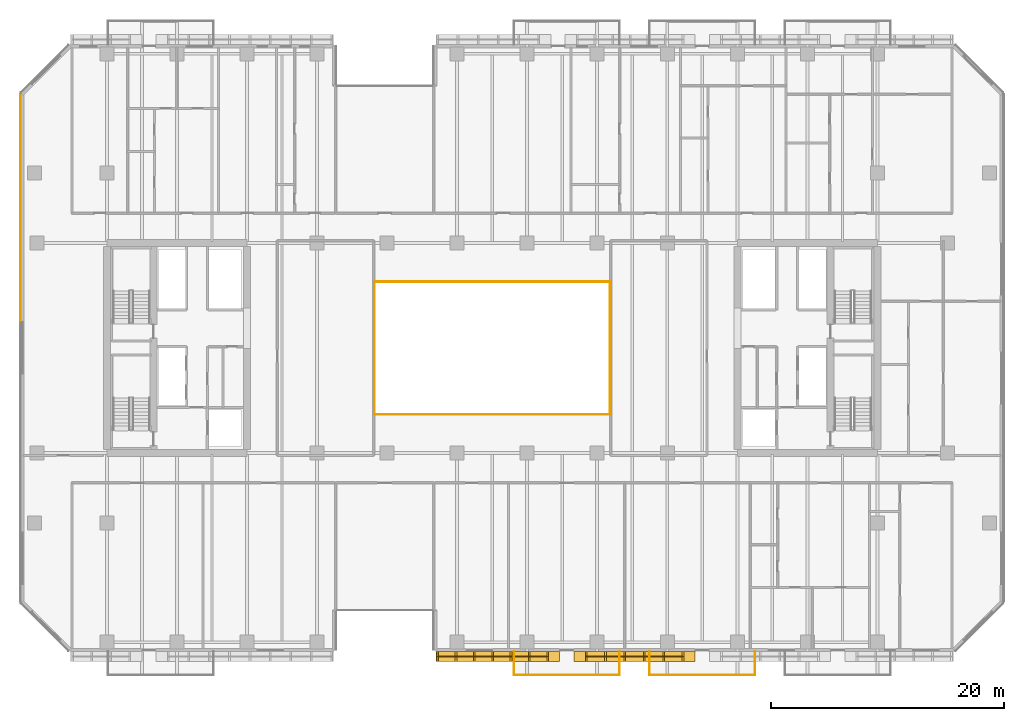
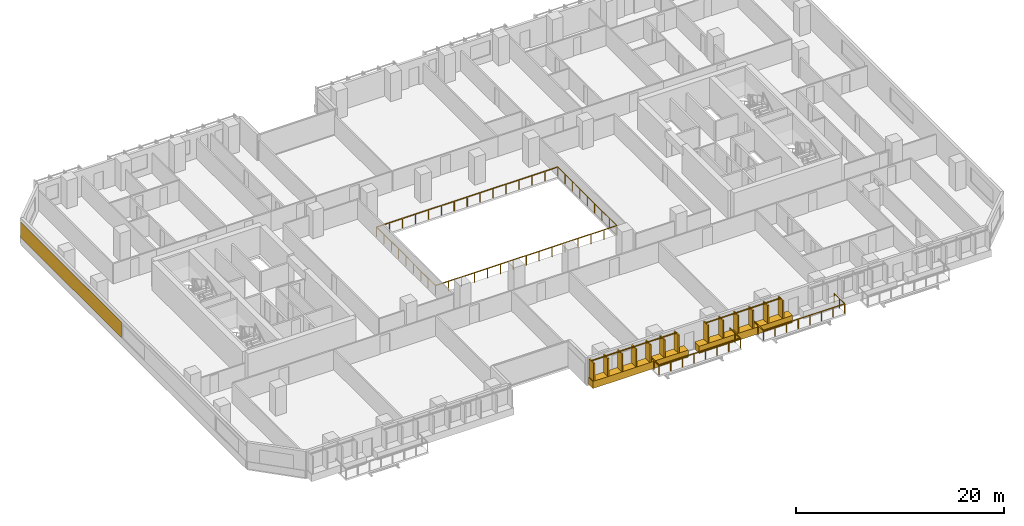
# One storey, part 20 of 25: 6 railings, 3 coverings.
"""IFC4 building model written with IfcOpenShell, lengths in metres."""

import ifcopenshell
import ifcopenshell.guid

model = None  # the IFC model being written
_history = None  # IfcOwnerHistory: only IFC2X3 demands one
_inside = {}  # id of a spatial element -> (the spatial element, [elements in it])
_under = {}  # id of a project, library or spatial element -> (it, [spatial elements below it])
_declared = {}  # id of a project -> (the project, [libraries it declares])
_typed = {}  # id of a type object -> (the type object, [elements of that type])
_made_of = {}  # id of a material, layer set ... -> (it, [elements and type objects made of it])


def new_model(schema):
    """Start an empty IFC model of exactly this schema.

    Asked for "IFC4X3", IfcOpenShell would pick the latest addendum, in which some entities
    have other attributes; the version numbers below select the first issue.
    IFC2X3 requires an IfcOwnerHistory on every rooted entity: one is made here for all.
    """
    global model, _history
    if schema == "IFC4X3":
        model = ifcopenshell.file(schema_version=(4, 3, 0, 0))
    else:
        model = ifcopenshell.file(schema=schema)
    _inside.clear()
    _under.clear()
    _declared.clear()
    _typed.clear()
    _made_of.clear()
    _history = None
    if model.schema == "IFC2X3":
        org = make("IfcOrganization", Name="unknown")
        user = make(
            "IfcPersonAndOrganization",
            ThePerson=make("IfcPerson", FamilyName="unknown"),
            TheOrganization=org,
        )
        app = make(
            "IfcApplication",
            ApplicationDeveloper=org,
            Version="unknown",
            ApplicationFullName="unknown",
            ApplicationIdentifier="unknown",
        )
        _history = make(
            "IfcOwnerHistory",
            OwningUser=user,
            OwningApplication=app,
            ChangeAction="ADDED",
            CreationDate=0,
        )
    return model


def make(cls, **values):
    """One entity of the class cls with the attributes given. An attribute that is None is left unset."""
    return model.create_entity(
        cls, **{name: value for name, value in values.items() if value is not None}
    )


def rooted(cls, **values):
    """An entity with a GlobalId (a new one), such as an element, a storey or a relation."""
    return make(cls, GlobalId=ifcopenshell.guid.new(), OwnerHistory=_history, **values)


def si_unit(unit_type, name, prefix=None):
    """IfcSIUnit, for example si_unit("LENGTHUNIT", "METRE", prefix="MILLI")."""
    return make("IfcSIUnit", UnitType=unit_type, Prefix=prefix, Name=name)


def assignment(units):
    """IfcUnitAssignment: the units of a project."""
    return None if units is None else make("IfcUnitAssignment", Units=units)


def point(xyz):
    """IfcCartesianPoint."""
    return None if xyz is None else make("IfcCartesianPoint", Coordinates=xyz)


def direction(xyz):
    """IfcDirection."""
    return None if xyz is None else make("IfcDirection", DirectionRatios=xyz)


def frame(location, z_axis=None, x_axis=None):
    """IfcAxis2Placement3D, a coordinate frame: its origin and axes. An axis left out is left unset."""
    return make(
        "IfcAxis2Placement3D",
        Location=point(location),
        Axis=direction(z_axis),
        RefDirection=direction(x_axis),
    )


def frame_2d(location, x_axis=None):
    """IfcAxis2Placement2D, a coordinate frame in the plane: its origin and x axis."""
    return make(
        "IfcAxis2Placement2D", Location=point(location), RefDirection=direction(x_axis)
    )


def origin():
    """The frame at (0, 0, 0) with its axes left unset."""
    return frame((0.0, 0.0, 0.0))


def origin_2d():
    """The frame at (0, 0) in the plane with its x axis left unset."""
    return frame_2d((0.0, 0.0))


def place(relative_to, where):
    """IfcLocalPlacement: puts the frame where relative to a parent placement (None: the world)."""
    return make(
        "IfcLocalPlacement", PlacementRelTo=relative_to, RelativePlacement=where
    )


def context(
    kind, dimensions, precision=None, world=None, true_north=None, identifier=None
):
    """IfcGeometricRepresentationContext, for example the 3D "Model" context."""
    return make(
        "IfcGeometricRepresentationContext",
        ContextIdentifier=identifier,
        ContextType=kind,
        CoordinateSpaceDimension=dimensions,
        Precision=precision,
        WorldCoordinateSystem=world,
        TrueNorth=true_north,
    )


def subcontext(parent, identifier, kind, view, scale=None):
    """IfcGeometricRepresentationSubContext, for example "Body" below "Model"."""
    return make(
        "IfcGeometricRepresentationSubContext",
        ContextIdentifier=identifier,
        ContextType=kind,
        ParentContext=parent,
        TargetScale=scale,
        TargetView=view,
    )


def project(units=None, contexts=None):
    """IfcProject with its units and contexts."""
    return rooted(
        "IfcProject",
        Name="project",
        RepresentationContexts=contexts,
        UnitsInContext=assignment(units),
    )


def spatial(cls, under=None, at=None, **own):
    """A site, building, storey or space (cls), placed at a placement, below another one or the project."""
    s = rooted(cls, ObjectPlacement=at, **own)
    if under is not None:
        _under.setdefault(under.id(), (under, []))[1].append(s)
    return s


def profile(cls, at=None, kind="AREA", **sizes):
    """A parametric profile (cls). Its sizes go by their IFC names, for example OverallWidth=200.0."""
    return make(cls, ProfileType=kind, Position=at, **sizes)


def rectangle(**sizes):
    """IfcRectangleProfileDef."""
    return profile("IfcRectangleProfileDef", **sizes)


def extrude(swept, where, along, depth):
    """IfcExtrudedAreaSolid: the profile swept, set in the frame where, extruded along a direction by depth."""
    return make(
        "IfcExtrudedAreaSolid",
        SweptArea=swept,
        Position=where,
        ExtrudedDirection=direction(along),
        Depth=depth,
    )


def shape(context_of_items, identifier, shape_type, items):
    """IfcShapeRepresentation: the items that make up one representation, for example the "Body"."""
    return make(
        "IfcShapeRepresentation",
        ContextOfItems=context_of_items,
        RepresentationIdentifier=identifier,
        RepresentationType=shape_type,
        Items=items,
    )


def material(Name=None, Category=None):
    """IfcMaterial."""
    return make("IfcMaterial", Name=Name, Category=Category)


def layer(
    of_material, thickness, ventilated=None, Name=None, Category=None, Priority=None
):
    """IfcMaterialLayer: one layer of a wall or slab, of a material (None: an air gap)."""
    return make(
        "IfcMaterialLayer",
        Material=of_material,
        LayerThickness=thickness,
        IsVentilated=ventilated,
        Name=Name,
        Category=Category,
        Priority=Priority,
    )


def layer_set(layers, Name=None):
    """IfcMaterialLayerSet."""
    return make("IfcMaterialLayerSet", MaterialLayers=layers, LayerSetName=Name)


def made_of(thing, what):
    """Note that an element or type object is made of a material, layer set ...; save() writes the relation."""
    if what is not None:
        _made_of.setdefault(what.id(), (what, []))[1].append(thing)
    return thing


def type_object(cls, material=None, **own):
    """A type object (cls), such as IfcWallType, which elements share."""
    return made_of(rooted(cls, **own), material)


def element(
    cls,
    number,
    at=None,
    inside=None,
    cuts=None,
    type_object=None,
    material=None,
    context=None,
    identifier="Body",
    shape_type=None,
    held_by="IfcProductDefinitionShape",
    body=None,
    shapes=None,
    **own,
):
    """One element of the class cls, such as IfcWall. Its Tag is "e" and its number.

    at: its placement. inside: the storey or other place that contains it. cuts: it is an
    opening in that element (IfcRelVoidsElement). A single representation is given by context,
    identifier, shape_type and body (its items); several are given by shapes. held_by: the class
    of the entity that holds the representations. save() writes the other relations.
    """
    e = rooted(cls, Tag="e%d" % number, ObjectPlacement=at, **own)
    if body is not None:
        shapes = [shape(context, identifier, shape_type, body)]
    if shapes is not None:
        e.Representation = make(held_by, Representations=shapes)
    if inside is not None:
        _inside.setdefault(inside.id(), (inside, []))[1].append(e)
    if cuts is not None:
        rooted(
            "IfcRelVoidsElement", RelatingBuildingElement=cuts, RelatedOpeningElement=e
        )
    if type_object is not None:
        _typed.setdefault(type_object.id(), (type_object, []))[1].append(e)
    return made_of(e, material)


def aggregate(whole, parts):
    """IfcRelAggregates: a whole, such as a stair, and the parts it consists of."""
    return rooted("IfcRelAggregates", RelatingObject=whole, RelatedObjects=parts)


def save(model, path):
    """Write the relations noted so far, then the file.

    IfcRelAggregates (storeys below a building ...), IfcRelContainedInSpatialStructure (elements
    in a storey), IfcRelDefinesByType, IfcRelAssociatesMaterial and IfcRelDeclares: one each for
    every whole, place, type object, material and project.
    """
    for whole, parts in _under.values():
        aggregate(whole, parts)
    for where, things in _inside.values():
        rooted(
            "IfcRelContainedInSpatialStructure",
            RelatedElements=things,
            RelatingStructure=where,
        )
    for kind, things in _typed.values():
        rooted("IfcRelDefinesByType", RelatedObjects=things, RelatingType=kind)
    for what, things in _made_of.values():
        rooted("IfcRelAssociatesMaterial", RelatedObjects=things, RelatingMaterial=what)
    for by, libraries in _declared.values():
        rooted("IfcRelDeclares", RelatingContext=by, RelatedDefinitions=libraries)
    model.write(path)


model = new_model("IFC4")

# Units and contexts
model_context = context("Model", 3, precision=1e-05, world=origin(), true_north=direction((0.0, 1.0)))
body_context = subcontext(model_context, "Body", "Model", "MODEL_VIEW")
ifc_project = project(units=[si_unit("LENGTHUNIT", "METRE"), si_unit("AREAUNIT", "SQUARE_METRE"), si_unit("VOLUMEUNIT", "CUBIC_METRE"), si_unit("PLANEANGLEUNIT", "RADIAN"), si_unit("MASSUNIT", "GRAM", prefix="KILO")], contexts=[model_context])

# Site, building, storey
site_placement = place(None, origin())
site = spatial("IfcSite", under=ifc_project, at=site_placement, CompositionType="ELEMENT")
building_placement = place(site_placement, origin())
building = spatial("IfcBuilding", under=site, at=building_placement, Name="Tanjung Sevakor Pilgrim Tower", CompositionType="ELEMENT")
storey_placement = place(building_placement, frame((0.0, 0.0, 42.239990234375)))
storey = spatial("IfcBuildingStorey", under=building, at=storey_placement, Name="L11", CompositionType="ELEMENT", Elevation=42.239990234375)

# Coverings
ifc_material_1 = material(Name="Reconstructed Limestone Cladding", Category="masonry")
ifc_layer = layer(ifc_material_1, 0.044921875)
ifc_layer_set = layer_set([ifc_layer], Name="COV-CLAD-LIMESTONE")
covering_type = type_object("IfcCoveringType", Name="COV-CLAD-LIMESTONE", PredefinedType="CLADDING", material=ifc_layer_set)
covering_1_placement = place(storey_placement, frame((57.485107421875, 7.169921875, 0.009765625), z_axis=(0.0, 0.0, 1.0), x_axis=(1.0, 0.0, 0.0)))
element("IfcCovering", 1, at=covering_1_placement, inside=storey, type_object=covering_type, Name="L11 Warm Limestone Sill Spandrel EW-L11-MAIN-5-1", PredefinedType="CLADDING", context=body_context, shape_type="SweptSolid", body=[
    extrude(rectangle(XDim=10.610107421875, YDim=0.860107421875, at=origin_2d()), origin(), (0.0, 0.0, 1.0), 0.840087890625),
])
covering_2_placement = place(storey_placement, frame((69.199951171875, 7.169921875, 0.009765625), z_axis=(0.0, 0.0, 1.0), x_axis=(1.0, 0.0, 0.0)))
element("IfcCovering", 2, at=covering_2_placement, inside=storey, type_object=covering_type, Name="L11 Warm Limestone Sill Spandrel EW-L11-MAIN-5-2", PredefinedType="CLADDING", context=body_context, shape_type="SweptSolid", body=[
    extrude(rectangle(XDim=10.3798828125, YDim=0.860107421875, at=origin_2d()), origin(), (0.0, 0.0, 1.0), 0.840087890625),
])
covering_3_placement = place(storey_placement, frame((16.577392578125, 45.575927734375, 0.85009765625), z_axis=(0.0, 0.0, 1.0), x_axis=(0.0, -1.0, 0.0)))
element("IfcCovering", 3, at=covering_3_placement, inside=storey, type_object=covering_type, Name="L11 Warm Limestone Pier Panel EW-L11-MAIN-15-1", PredefinedType="CLADDING", context=body_context, shape_type="SweptSolid", body=[
    extrude(rectangle(XDim=19.451904296875, YDim=0.044921875, at=origin_2d()), origin(), (0.0, 0.0, 1.0), 1.81005859375),
])

# Railings
ifc_material_2 = material(Name="Laminated Glass and Aluminium", Category="aluminium")
railing_type_1 = type_object("IfcRailingType", Name="RL-BAL-BALUST", PredefinedType="BALUSTRADE", material=ifc_material_2)
railing_1_placement = place(storey_placement, frame((46.919921875, 27.919921875, 0.0)))
element("IfcRailing", 4, at=railing_1_placement, inside=storey, type_object=railing_type_1, Name="L11 Void Opening Balustrade 1A", PredefinedType="BALUSTRADE", context=body_context, shape_type="SweptSolid", body=[
    extrude(rectangle(XDim=0.0479, YDim=0.0479), frame((0.0, 0.0, 1.1259765625), z_axis=(1.0, 0.0, 0.0), x_axis=(0.0, 1.0, 0.0)), (0.0, 0.0, 1.0), 20.16015625),
    extrude(rectangle(XDim=0.0479, YDim=0.0479), frame((20.16015625, 0.0, 1.1259765625), z_axis=(0.0, 1.0, 0.0), x_axis=(-1.0, 0.0, 0.0)), (0.0, 0.0, 1.0), 11.360107421875),
    extrude(rectangle(XDim=0.042, YDim=0.042), origin(), (0.0, 0.0, 1.0), 1.101806640625),
    extrude(rectangle(XDim=0.042, YDim=0.042), frame((1.43994140625, 0.0, 0.0)), (0.0, 0.0, 1.0), 1.101806640625),
    extrude(rectangle(XDim=0.042, YDim=0.042), frame((2.880126953125, 0.0, 0.0)), (0.0, 0.0, 1.0), 1.101806640625),
    extrude(rectangle(XDim=0.042, YDim=0.042), frame((4.320068359375, 0.0, 0.0)), (0.0, 0.0, 1.0), 1.101806640625),
    extrude(rectangle(XDim=0.042, YDim=0.042), frame((5.760009765625, 0.0, 0.0)), (0.0, 0.0, 1.0), 1.101806640625),
    extrude(rectangle(XDim=0.042, YDim=0.042), frame((7.199951171875, 0.0, 0.0)), (0.0, 0.0, 1.0), 1.101806640625),
    extrude(rectangle(XDim=0.042, YDim=0.042), frame((8.64013671875, 0.0, 0.0)), (0.0, 0.0, 1.0), 1.101806640625),
    extrude(rectangle(XDim=0.042, YDim=0.042), frame((10.080078125, 0.0, 0.0)), (0.0, 0.0, 1.0), 1.101806640625),
    extrude(rectangle(XDim=0.042, YDim=0.042), frame((11.52001953125, 0.0, 0.0)), (0.0, 0.0, 1.0), 1.101806640625),
    extrude(rectangle(XDim=0.042, YDim=0.042), frame((12.960205078125, 0.0, 0.0)), (0.0, 0.0, 1.0), 1.101806640625),
    extrude(rectangle(XDim=0.042, YDim=0.042), frame((14.400146484375, 0.0, 0.0)), (0.0, 0.0, 1.0), 1.101806640625),
    extrude(rectangle(XDim=0.042, YDim=0.042), frame((15.840087890625, 0.0, 0.0)), (0.0, 0.0, 1.0), 1.101806640625),
    extrude(rectangle(XDim=0.042, YDim=0.042), frame((17.280029296875, 0.0, 0.0)), (0.0, 0.0, 1.0), 1.101806640625),
    extrude(rectangle(XDim=0.042, YDim=0.042), frame((18.72021484375, 0.0, 0.0)), (0.0, 0.0, 1.0), 1.101806640625),
    extrude(rectangle(XDim=0.042, YDim=0.042), frame((20.16015625, 0.0, 0.0)), (0.0, 0.0, 1.0), 1.101806640625),
    extrude(rectangle(XDim=0.042, YDim=0.042), frame((20.16015625, 1.419921875, 0.0)), (0.0, 0.0, 1.0), 1.101806640625),
    extrude(rectangle(XDim=0.042, YDim=0.042), frame((20.16015625, 2.840087890625, 0.0)), (0.0, 0.0, 1.0), 1.101806640625),
    extrude(rectangle(XDim=0.042, YDim=0.042), frame((20.16015625, 4.260009765625, 0.0)), (0.0, 0.0, 1.0), 1.101806640625),
    extrude(rectangle(XDim=0.042, YDim=0.042), frame((20.16015625, 5.68017578125, 0.0)), (0.0, 0.0, 1.0), 1.101806640625),
    extrude(rectangle(XDim=0.042, YDim=0.042), frame((20.16015625, 7.10009765625, 0.0)), (0.0, 0.0, 1.0), 1.101806640625),
    extrude(rectangle(XDim=0.042, YDim=0.042), frame((20.16015625, 8.52001953125, 0.0)), (0.0, 0.0, 1.0), 1.101806640625),
    extrude(rectangle(XDim=0.042, YDim=0.042), frame((20.16015625, 9.940185546875, 0.0)), (0.0, 0.0, 1.0), 1.101806640625),
    extrude(rectangle(XDim=0.042, YDim=0.042), frame((20.16015625, 11.360107421875, 0.0)), (0.0, 0.0, 1.0), 1.101806640625),
])
railing_2_placement = place(storey_placement, frame((67.080078125, 39.280029296875, 0.0)))
element("IfcRailing", 5, at=railing_2_placement, inside=storey, type_object=railing_type_1, Name="L11 Void Opening Balustrade 1B", PredefinedType="BALUSTRADE", context=body_context, shape_type="SweptSolid", body=[
    extrude(rectangle(XDim=0.0479, YDim=0.0479), frame((0.0, 0.0, 1.1259765625), z_axis=(-1.0, 0.0, 0.0), x_axis=(0.0, -1.0, 0.0)), (0.0, 0.0, 1.0), 20.16015625),
    extrude(rectangle(XDim=0.0479, YDim=0.0479), frame((-20.16015625, 0.0, 1.1259765625), z_axis=(0.0, -1.0, 0.0), x_axis=(1.0, 0.0, 0.0)), (0.0, 0.0, 1.0), 11.360107421875),
    extrude(rectangle(XDim=0.042, YDim=0.042), origin(), (0.0, 0.0, 1.0), 1.101806640625),
    extrude(rectangle(XDim=0.042, YDim=0.042), frame((-1.43994140625, 0.0, 0.0)), (0.0, 0.0, 1.0), 1.101806640625),
    extrude(rectangle(XDim=0.042, YDim=0.042), frame((-2.880126953125, 0.0, 0.0)), (0.0, 0.0, 1.0), 1.101806640625),
    extrude(rectangle(XDim=0.042, YDim=0.042), frame((-4.320068359375, 0.0, 0.0)), (0.0, 0.0, 1.0), 1.101806640625),
    extrude(rectangle(XDim=0.042, YDim=0.042), frame((-5.760009765625, 0.0, 0.0)), (0.0, 0.0, 1.0), 1.101806640625),
    extrude(rectangle(XDim=0.042, YDim=0.042), frame((-7.199951171875, 0.0, 0.0)), (0.0, 0.0, 1.0), 1.101806640625),
    extrude(rectangle(XDim=0.042, YDim=0.042), frame((-8.64013671875, 0.0, 0.0)), (0.0, 0.0, 1.0), 1.101806640625),
    extrude(rectangle(XDim=0.042, YDim=0.042), frame((-10.080078125, 0.0, 0.0)), (0.0, 0.0, 1.0), 1.101806640625),
    extrude(rectangle(XDim=0.042, YDim=0.042), frame((-11.52001953125, 0.0, 0.0)), (0.0, 0.0, 1.0), 1.101806640625),
    extrude(rectangle(XDim=0.042, YDim=0.042), frame((-12.960205078125, 0.0, 0.0)), (0.0, 0.0, 1.0), 1.101806640625),
    extrude(rectangle(XDim=0.042, YDim=0.042), frame((-14.400146484375, 0.0, 0.0)), (0.0, 0.0, 1.0), 1.101806640625),
    extrude(rectangle(XDim=0.042, YDim=0.042), frame((-15.840087890625, 0.0, 0.0)), (0.0, 0.0, 1.0), 1.101806640625),
    extrude(rectangle(XDim=0.042, YDim=0.042), frame((-17.280029296875, 0.0, 0.0)), (0.0, 0.0, 1.0), 1.101806640625),
    extrude(rectangle(XDim=0.042, YDim=0.042), frame((-18.72021484375, 0.0, 0.0)), (0.0, 0.0, 1.0), 1.101806640625),
    extrude(rectangle(XDim=0.042, YDim=0.042), frame((-20.16015625, 0.0, 0.0)), (0.0, 0.0, 1.0), 1.101806640625),
    extrude(rectangle(XDim=0.042, YDim=0.042), frame((-20.16015625, -1.419921875, 0.0)), (0.0, 0.0, 1.0), 1.101806640625),
    extrude(rectangle(XDim=0.042, YDim=0.042), frame((-20.16015625, -2.840087890625, 0.0)), (0.0, 0.0, 1.0), 1.101806640625),
    extrude(rectangle(XDim=0.042, YDim=0.042), frame((-20.16015625, -4.260009765625, 0.0)), (0.0, 0.0, 1.0), 1.101806640625),
    extrude(rectangle(XDim=0.042, YDim=0.042), frame((-20.16015625, -5.68017578125, 0.0)), (0.0, 0.0, 1.0), 1.101806640625),
    extrude(rectangle(XDim=0.042, YDim=0.042), frame((-20.16015625, -7.10009765625, 0.0)), (0.0, 0.0, 1.0), 1.101806640625),
    extrude(rectangle(XDim=0.042, YDim=0.042), frame((-20.16015625, -8.52001953125, 0.0)), (0.0, 0.0, 1.0), 1.101806640625),
    extrude(rectangle(XDim=0.042, YDim=0.042), frame((-20.16015625, -9.940185546875, 0.0)), (0.0, 0.0, 1.0), 1.101806640625),
    extrude(rectangle(XDim=0.042, YDim=0.042), frame((-20.16015625, -11.360107421875, 0.0)), (0.0, 0.0, 1.0), 1.101806640625),
])
railing_3_placement = place(storey_placement, frame((58.8798828125, 7.60009765625, 0.0)))
element("IfcRailing", 6, at=railing_3_placement, inside=storey, type_object=railing_type_1, Name="L11 Loggia Balustrade MAIN-S2", PredefinedType="BALUSTRADE", context=body_context, shape_type="SweptSolid", body=[
    extrude(rectangle(XDim=0.0479, YDim=0.0479), frame((0.0, 0.0, 1.1259765625), z_axis=(0.0, -1.0, 0.0), x_axis=(1.0, 0.0, 0.0)), (0.0, 0.0, 1.0), 2.02001953125),
    extrude(rectangle(XDim=0.0479, YDim=0.0479), frame((0.0, -2.02001953125, 1.1259765625), z_axis=(1.0, 0.0, 0.0), x_axis=(0.0, 1.0, 0.0)), (0.0, 0.0, 1.0), 9.0400390625),
    extrude(rectangle(XDim=0.0479, YDim=0.0479), frame((9.0400390625, -2.02001953125, 1.1259765625), z_axis=(0.0, 1.0, 0.0), x_axis=(-1.0, 0.0, 0.0)), (0.0, 0.0, 1.0), 2.02001953125),
    extrude(rectangle(XDim=0.042, YDim=0.042), origin(), (0.0, 0.0, 1.0), 1.101806640625),
    extrude(rectangle(XDim=0.042, YDim=0.042), frame((0.0, -1.010009765625, 0.0)), (0.0, 0.0, 1.0), 1.101806640625),
    extrude(rectangle(XDim=0.042, YDim=0.042), frame((0.0, -2.02001953125, 0.0)), (0.0, 0.0, 1.0), 1.101806640625),
    extrude(rectangle(XDim=0.042, YDim=0.042), frame((1.29150390625, -2.02001953125, 0.0)), (0.0, 0.0, 1.0), 1.101806640625),
    extrude(rectangle(XDim=0.042, YDim=0.042), frame((2.582763671875, -2.02001953125, 0.0)), (0.0, 0.0, 1.0), 1.101806640625),
    extrude(rectangle(XDim=0.042, YDim=0.042), frame((3.874267578125, -2.02001953125, 0.0)), (0.0, 0.0, 1.0), 1.101806640625),
    extrude(rectangle(XDim=0.042, YDim=0.042), frame((5.165771484375, -2.02001953125, 0.0)), (0.0, 0.0, 1.0), 1.101806640625),
    extrude(rectangle(XDim=0.042, YDim=0.042), frame((6.457275390625, -2.02001953125, 0.0)), (0.0, 0.0, 1.0), 1.101806640625),
    extrude(rectangle(XDim=0.042, YDim=0.042), frame((7.74853515625, -2.02001953125, 0.0)), (0.0, 0.0, 1.0), 1.101806640625),
    extrude(rectangle(XDim=0.042, YDim=0.042), frame((9.0400390625, -2.02001953125, 0.0)), (0.0, 0.0, 1.0), 1.101806640625),
    extrude(rectangle(XDim=0.042, YDim=0.042), frame((9.0400390625, -1.010009765625, 0.0)), (0.0, 0.0, 1.0), 1.101806640625),
    extrude(rectangle(XDim=0.042, YDim=0.042), frame((9.0400390625, 0.0, 0.0)), (0.0, 0.0, 1.0), 1.101806640625),
])
railing_4_placement = place(storey_placement, frame((70.47998046875, 7.60009765625, 0.0)))
element("IfcRailing", 7, at=railing_4_placement, inside=storey, type_object=railing_type_1, Name="L11 Loggia Balustrade MAIN-S3", PredefinedType="BALUSTRADE", context=body_context, shape_type="SweptSolid", body=[
    extrude(rectangle(XDim=0.0479, YDim=0.0479), frame((0.0, 0.0, 1.1259765625), z_axis=(0.0, -1.0, 0.0), x_axis=(1.0, 0.0, 0.0)), (0.0, 0.0, 1.0), 2.02001953125),
    extrude(rectangle(XDim=0.0479, YDim=0.0479), frame((0.0, -2.02001953125, 1.1259765625), z_axis=(1.0, 0.0, 0.0), x_axis=(0.0, 1.0, 0.0)), (0.0, 0.0, 1.0), 9.0400390625),
    extrude(rectangle(XDim=0.0479, YDim=0.0479), frame((9.0400390625, -2.02001953125, 1.1259765625), z_axis=(0.0, 1.0, 0.0), x_axis=(-1.0, 0.0, 0.0)), (0.0, 0.0, 1.0), 2.02001953125),
    extrude(rectangle(XDim=0.042, YDim=0.042), origin(), (0.0, 0.0, 1.0), 1.101806640625),
    extrude(rectangle(XDim=0.042, YDim=0.042), frame((0.0, -1.010009765625, 0.0)), (0.0, 0.0, 1.0), 1.101806640625),
    extrude(rectangle(XDim=0.042, YDim=0.042), frame((0.0, -2.02001953125, 0.0)), (0.0, 0.0, 1.0), 1.101806640625),
    extrude(rectangle(XDim=0.042, YDim=0.042), frame((1.29150390625, -2.02001953125, 0.0)), (0.0, 0.0, 1.0), 1.101806640625),
    extrude(rectangle(XDim=0.042, YDim=0.042), frame((2.582763671875, -2.02001953125, 0.0)), (0.0, 0.0, 1.0), 1.101806640625),
    extrude(rectangle(XDim=0.042, YDim=0.042), frame((3.874267578125, -2.02001953125, 0.0)), (0.0, 0.0, 1.0), 1.101806640625),
    extrude(rectangle(XDim=0.042, YDim=0.042), frame((5.165771484375, -2.02001953125, 0.0)), (0.0, 0.0, 1.0), 1.101806640625),
    extrude(rectangle(XDim=0.042, YDim=0.042), frame((6.457275390625, -2.02001953125, 0.0)), (0.0, 0.0, 1.0), 1.101806640625),
    extrude(rectangle(XDim=0.042, YDim=0.042), frame((7.74853515625, -2.02001953125, 0.0)), (0.0, 0.0, 1.0), 1.101806640625),
    extrude(rectangle(XDim=0.042, YDim=0.042), frame((9.0400390625, -2.02001953125, 0.0)), (0.0, 0.0, 1.0), 1.101806640625),
    extrude(rectangle(XDim=0.042, YDim=0.042), frame((9.0400390625, -1.010009765625, 0.0)), (0.0, 0.0, 1.0), 1.101806640625),
    extrude(rectangle(XDim=0.042, YDim=0.042), frame((9.0400390625, 0.0, 0.0)), (0.0, 0.0, 1.0), 1.101806640625),
])
ifc_material_3 = material(Name="Anodised Bronze Aluminium 6063-T6", Category="aluminium")
railing_type_2 = type_object("IfcRailingType", Name="RL-FIN-SCREEN", PredefinedType="BALUSTRADE", material=ifc_material_3)
railing_5_placement = place(storey_placement, frame((52.340087890625, 7.175048828125, 0.840087890625)))
element("IfcRailing", 8, at=railing_5_placement, inside=storey, type_object=railing_type_2, Name="L11 Vertical Bronze-Gold Solar Fin Screen FNSCR-EW-L11-MAIN-5-1", PredefinedType="BALUSTRADE", context=body_context, shape_type="SweptSolid", body=[
    extrude(rectangle(XDim=0.105, YDim=0.105), frame((0.0, 0.0, 2.157470703125), z_axis=(1.0, 0.0, 0.0), x_axis=(0.0, 1.0, 0.0)), (0.0, 0.0, 1.0), 9.409912109375),
    extrude(rectangle(XDim=0.14, YDim=0.85), origin(), (0.0, 0.0, 1.0), 2.10498046875),
    extrude(rectangle(XDim=0.14, YDim=0.85), frame((1.568359375, 0.0, 0.0)), (0.0, 0.0, 1.0), 2.10498046875),
    extrude(rectangle(XDim=0.14, YDim=0.85), frame((3.13671875, 0.0, 0.0)), (0.0, 0.0, 1.0), 2.10498046875),
    extrude(rectangle(XDim=0.14, YDim=0.85), frame((4.705078125, 0.0, 0.0)), (0.0, 0.0, 1.0), 2.10498046875),
    extrude(rectangle(XDim=0.14, YDim=0.85), frame((6.273193359375, 0.0, 0.0)), (0.0, 0.0, 1.0), 2.10498046875),
    extrude(rectangle(XDim=0.14, YDim=0.85), frame((7.841552734375, 0.0, 0.0)), (0.0, 0.0, 1.0), 2.10498046875),
    extrude(rectangle(XDim=0.14, YDim=0.85), frame((9.409912109375, 0.0, 0.0)), (0.0, 0.0, 1.0), 2.10498046875),
])
railing_6_placement = place(storey_placement, frame((65.050048828125, 7.175048828125, 0.840087890625)))
element("IfcRailing", 9, at=railing_6_placement, inside=storey, type_object=railing_type_2, Name="L11 Vertical Bronze-Gold Solar Fin Screen FNSCR-EW-L11-MAIN-5-2", PredefinedType="BALUSTRADE", context=body_context, shape_type="SweptSolid", body=[
    extrude(rectangle(XDim=0.105, YDim=0.105), frame((0.0, 0.0, 2.157470703125), z_axis=(1.0, 0.0, 0.0), x_axis=(0.0, 1.0, 0.0)), (0.0, 0.0, 1.0), 8.300048828125),
    extrude(rectangle(XDim=0.14, YDim=0.85), origin(), (0.0, 0.0, 1.0), 2.10498046875),
    extrude(rectangle(XDim=0.14, YDim=0.85), frame((1.659912109375, 0.0, 0.0)), (0.0, 0.0, 1.0), 2.10498046875),
    extrude(rectangle(XDim=0.14, YDim=0.85), frame((3.320068359375, 0.0, 0.0)), (0.0, 0.0, 1.0), 2.10498046875),
    extrude(rectangle(XDim=0.14, YDim=0.85), frame((4.97998046875, 0.0, 0.0)), (0.0, 0.0, 1.0), 2.10498046875),
    extrude(rectangle(XDim=0.14, YDim=0.85), frame((6.64013671875, 0.0, 0.0)), (0.0, 0.0, 1.0), 2.10498046875),
    extrude(rectangle(XDim=0.14, YDim=0.85), frame((8.300048828125, 0.0, 0.0)), (0.0, 0.0, 1.0), 2.10498046875),
])

save(model, "model.ifc")
